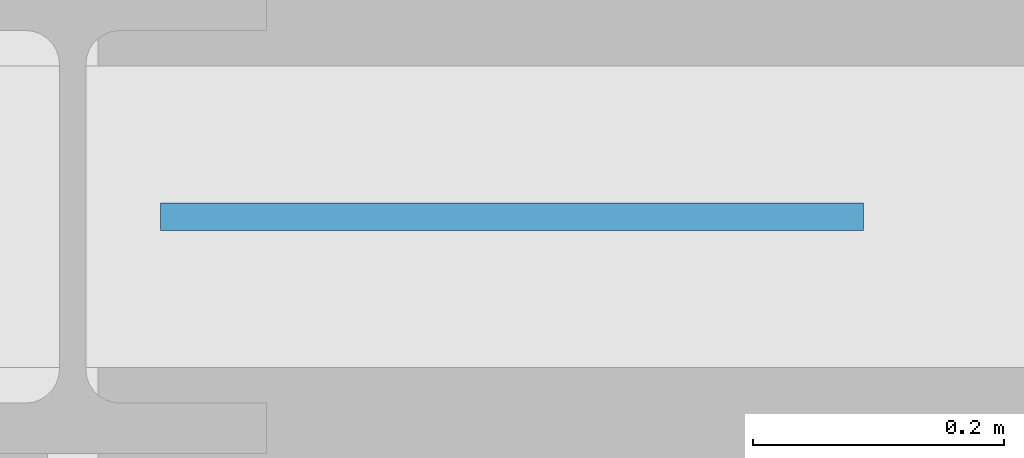
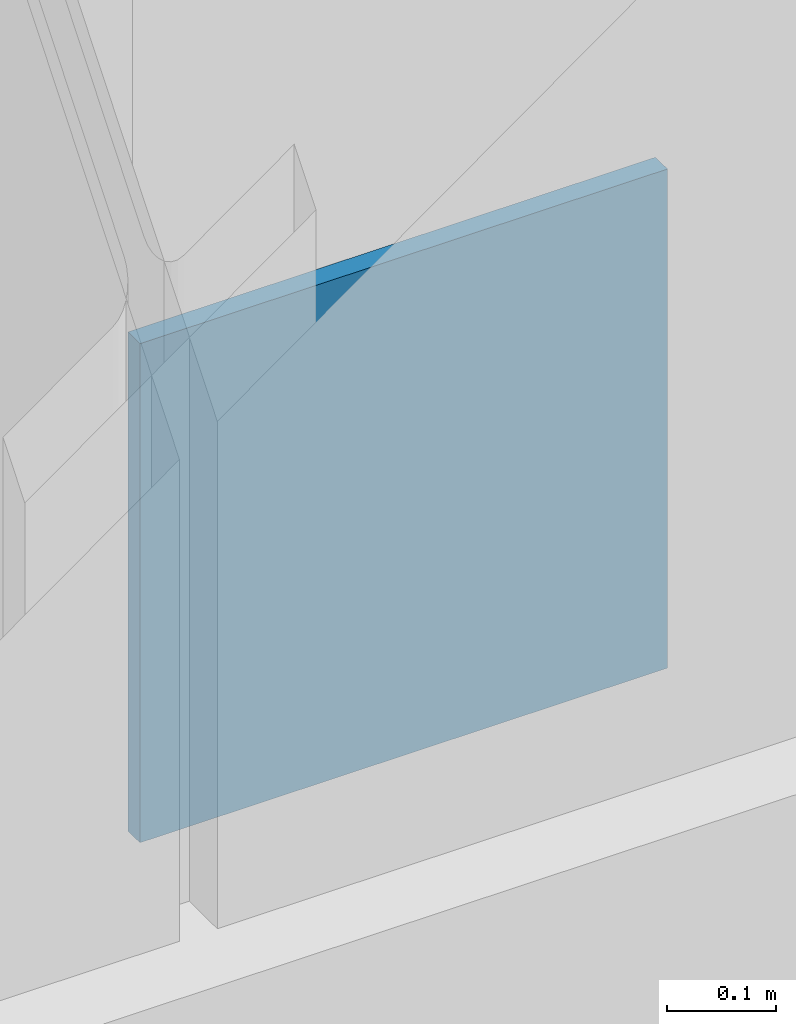
# One storey, part 55 of 78: 1 plate.
"""IFC4 building model written with IfcOpenShell, lengths in metres."""

from ifc_helpers import new_model, si_unit, direction, frame, origin, origin_2d, place, context, subcontext, project, spatial, rectangle, extrude, material, layer, layer_set, type_object, element, save


model = new_model("IFC4")

# Units and contexts
model_context = context("Model", 3, precision=1e-05, world=origin(), true_north=direction((0.0, 1.0)))
body_context = subcontext(model_context, "Body", "Model", "MODEL_VIEW")
ifc_project = project(units=[si_unit("LENGTHUNIT", "METRE"), si_unit("AREAUNIT", "SQUARE_METRE"), si_unit("VOLUMEUNIT", "CUBIC_METRE"), si_unit("PLANEANGLEUNIT", "RADIAN"), si_unit("MASSUNIT", "GRAM", prefix="KILO")], contexts=[model_context])

# Site, building, storey
site_placement = place(None, origin())
site = spatial("IfcSite", under=ifc_project, at=site_placement, CompositionType="ELEMENT")
building_placement = place(site_placement, origin())
building = spatial("IfcBuilding", under=site, at=building_placement, Name="Alderhovde Museum", CompositionType="ELEMENT")
storey_placement = place(building_placement, frame((0.0, 0.0, 4.5)))
storey = spatial("IfcBuildingStorey", under=building, at=storey_placement, Name="L01", CompositionType="ELEMENT", Elevation=4.5)

# Plate
ifc_material = material(Name="Steel S355J2", Category="steel")
ifc_layer = layer(ifc_material, 0.02197265625)
ifc_layer_set = layer_set([ifc_layer], Name="Steel S355J2")
plate_type = type_object("IfcPlateType", Name="PLT-GUSSET-22", PredefinedType="USERDEFINED", material=ifc_layer_set)
plate_placement = place(storey_placement, frame((134.75, 32.0, 0.02001953125), z_axis=(0.0, 0.0, 1.0), x_axis=(1.0, 0.0, 0.0)))
element("IfcPlate", 1, at=plate_placement, inside=storey, type_object=plate_type, Name="L01 Brace End Gusset Plate BR-V5-S-BL", ObjectType="GUSSET PLATE", PredefinedType="USERDEFINED", context=body_context, shape_type="SweptSolid", body=[
    extrude(rectangle(XDim=0.56005859375, YDim=0.02197265625, at=origin_2d()), origin(), (0.0, 0.0, 1.0), 0.56005859375),
])

save(model, "model.ifc")
